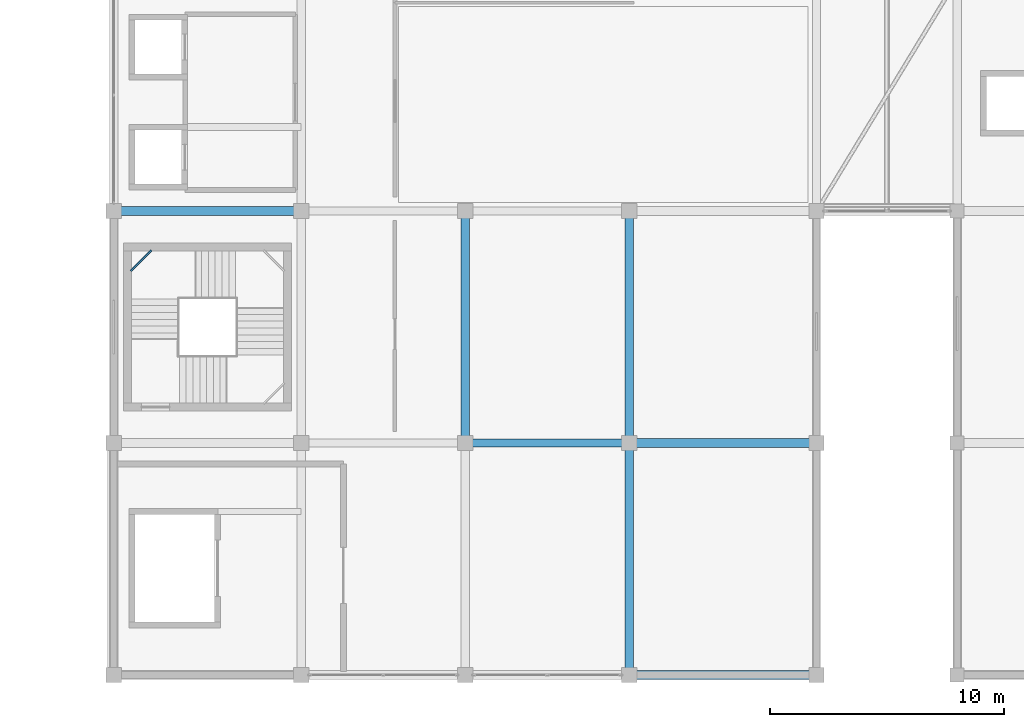
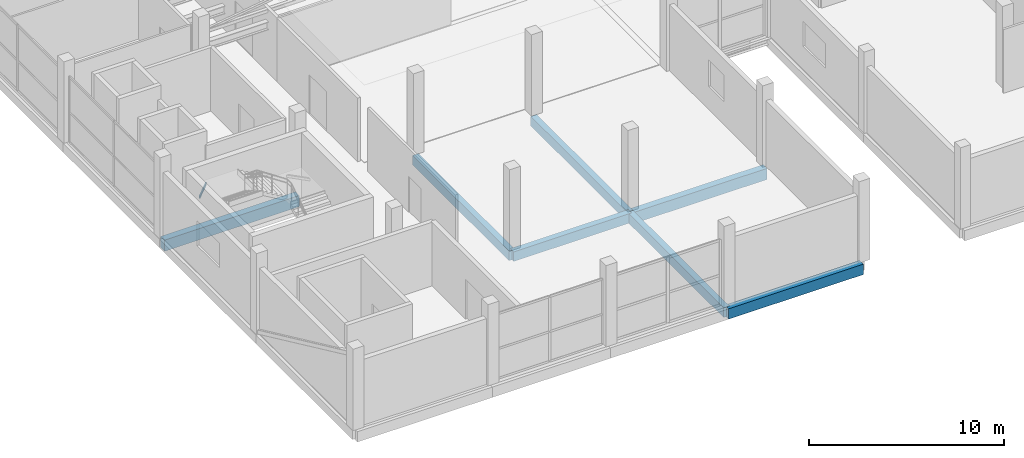
# One storey, part 5 of 66: 8 beams.
"""IFC4 building model written with IfcOpenShell, lengths in metres."""

from ifc_helpers import new_model, si_unit, direction, frame, origin, origin_2d, place, context, subcontext, project, spatial, rectangle, hollow_rectangle, extrude, material, material_profile, profile_set, type_object, element, save


model = new_model("IFC4")

# Units and contexts
model_context = context("Model", 3, precision=1e-05, world=origin(), true_north=direction((0.0, 1.0)))
body_context = subcontext(model_context, "Body", "Model", "MODEL_VIEW")
ifc_project = project(units=[si_unit("LENGTHUNIT", "METRE"), si_unit("AREAUNIT", "SQUARE_METRE"), si_unit("VOLUMEUNIT", "CUBIC_METRE"), si_unit("PLANEANGLEUNIT", "RADIAN"), si_unit("MASSUNIT", "GRAM", prefix="KILO")], contexts=[model_context])

# Site, building, storey
site_placement = place(None, origin())
site = spatial("IfcSite", under=ifc_project, at=site_placement, CompositionType="ELEMENT")
building_placement = place(site_placement, origin())
building = spatial("IfcBuilding", under=site, at=building_placement, Name="Sillaruma Civic Art Gallery", CompositionType="ELEMENT")
storey_placement = place(building_placement, frame((0.0, 0.0, 57.1201171875)))
storey = spatial("IfcBuildingStorey", under=building, at=storey_placement, Name="L11", CompositionType="ELEMENT", Elevation=57.1201171875)

# Beams
ifc_material_1 = material(Name="Concrete H35 (35 MPa)", Category="concrete")
ifc_material_profile_1 = material_profile(ifc_material_1, rectangle(XDim=0.35009765625, YDim=0.60009765625, at=origin_2d()), Name="RCB350x600")
ifc_profile_set_1 = profile_set([ifc_material_profile_1], Name="Concrete H35 (35 MPa)")
beam_type_1 = type_object("IfcBeamType", Name="BM-BEAM-RCB350x600", PredefinedType="BEAM", material=ifc_profile_set_1)
beam_1_placement = place(storey_placement, frame((77.0, 29.699951171875, -0.550048828125), z_axis=(1.0, 0.0, 0.0), x_axis=(0.0, 1.0, 0.0)))
element("IfcBeam", 1, at=beam_1_placement, inside=storey, type_object=beam_type_1, Name="Beam BM-06 (L10:4:H-J)", PredefinedType="BEAM", context=body_context, shape_type="SweptSolid", body=[
    extrude(rectangle(XDim=0.35009765625, YDim=0.60009765625, at=origin_2d()), origin(), (0.0, 0.0, 1.0), 7.0),
])
beam_2_placement = place(storey_placement, frame((77.0, 29.699951171875, -0.550048828125), z_axis=(0.0, 1.0, 0.0), x_axis=(-1.0, 0.0, 0.0)))
element("IfcBeam", 2, at=beam_2_placement, inside=storey, type_object=beam_type_1, Name="Beam BM-06 (L10:H:4-5)", PredefinedType="BEAM", context=body_context, shape_type="SweptSolid", body=[
    extrude(rectangle(XDim=0.35009765625, YDim=0.60009765625, at=origin_2d()), origin(), (0.0, 0.0, 1.0), 9.900146484375),
])
beam_3_placement = place(storey_placement, frame((84.0, 19.800048828125, -0.550048828125), z_axis=(0.0, 1.0, 0.0), x_axis=(-1.0, 0.0, 0.0)))
element("IfcBeam", 3, at=beam_3_placement, inside=storey, type_object=beam_type_1, Name="Beam BM-06 (L10:J:3-4)", PredefinedType="BEAM", context=body_context, shape_type="SweptSolid", body=[
    extrude(rectangle(XDim=0.35009765625, YDim=0.60009765625, at=origin_2d()), origin(), (0.0, 0.0, 1.0), 9.89990234375),
])
beam_4_placement = place(storey_placement, frame((84.0, 29.699951171875, -0.550048828125), z_axis=(0.0, 1.0, 0.0), x_axis=(-1.0, 0.0, 0.0)))
element("IfcBeam", 4, at=beam_4_placement, inside=storey, type_object=beam_type_1, Name="Beam BM-06 (L10:J:4-5)", PredefinedType="BEAM", context=body_context, shape_type="SweptSolid", body=[
    extrude(rectangle(XDim=0.35009765625, YDim=0.60009765625, at=origin_2d()), origin(), (0.0, 0.0, 1.0), 9.900146484375),
])
ifc_material_profile_2 = material_profile(ifc_material_1, rectangle(XDim=0.39990234375, YDim=0.699951171875, at=origin_2d()), Name="RCB400x700")
ifc_profile_set_2 = profile_set([ifc_material_profile_2], Name="Concrete H35 (35 MPa)")
beam_type_2 = type_object("IfcBeamType", Name="BM-BEAM-RCB400x700", PredefinedType="BEAM", material=ifc_profile_set_2)
for number, where, z_axis, x_axis, name in (
    (5, (84.0, 29.699951171875, -0.60009765625), (1.0, 0.0, 0.0), (0.0, 1.0, 0.0), "Beam BM-04 (L10:4:J-K)"),
    (6, (62.0, 39.60009765625, -0.60009765625), (1.0, 0.0, 0.0), (0.0, 1.0, 0.0), "Beam BM-04 (L10:5:F-G)"),
):
    element("IfcBeam", number, at=place(storey_placement, frame(where, z_axis=z_axis, x_axis=x_axis)), inside=storey, type_object=beam_type_2, Name=name, PredefinedType="BEAM", context=body_context, shape_type="SweptSolid", body=[
        extrude(rectangle(XDim=0.39990234375, YDim=0.699951171875, at=origin_2d()), origin(), (0.0, 0.0, 1.0), 8.0),
    ])
ifc_material_2 = material(Name="Structural Steel ASTM A500 Gr.C", Category="steel")
ifc_material_profile_3 = material_profile(ifc_material_2, hollow_rectangle(XDim=0.080078125, YDim=0.159912109375, WallThickness=0.008056640625, InnerFilletRadius=0.008056640625, OuterFilletRadius=0.01611328125, at=origin_2d()), Name="HSS160x80x8")
ifc_profile_set_3 = profile_set([ifc_material_profile_3], Name="Structural Steel ASTM A500 Gr.C")
beam_type_3 = type_object("IfcBeamType", Name="BM-LND-HSS160", PredefinedType="BEAM", material=ifc_profile_set_3)
beam_5_placement = place(storey_placement, frame((62.719970703125, 37.0400390625, 3.6298828125), z_axis=(0.707203758046, 0.707009791025, 0.0), x_axis=(-0.707009791025, 0.707203758046, 0.0)))
element("IfcBeam", 7, at=beam_5_placement, inside=storey, type_object=beam_type_3, Name="Stair Corner Landing Trimmer Beam (ST-03-L11-3)", PredefinedType="BEAM", context=body_context, shape_type="SweptSolid", body=[
    extrude(hollow_rectangle(XDim=0.080078125, YDim=0.159912109375, WallThickness=0.008056640625, InnerFilletRadius=0.008056640625, OuterFilletRadius=0.01611328125, at=origin_2d()), origin(), (0.0, 0.0, 1.0), 1.2587890625),
])
ifc_material_profile_4 = material_profile(ifc_material_1, rectangle(XDim=0.39990234375, YDim=0.64990234375, at=origin_2d()), Name="RCB400x650")
ifc_profile_set_4 = profile_set([ifc_material_profile_4], Name="Concrete H35 (35 MPa)")
beam_type_4 = type_object("IfcBeamType", Name="BM-SPANDREL-RCB400x650", PredefinedType="SPANDREL", material=ifc_profile_set_4)
beam_6_placement = place(storey_placement, frame((84.0, 19.800048828125, -0.5751953125), z_axis=(1.0, 0.0, 0.0), x_axis=(0.0, 1.0, 0.0)))
element("IfcBeam", 8, at=beam_6_placement, inside=storey, type_object=beam_type_4, Name="Beam BS-02 (L10:3:J-K)", PredefinedType="SPANDREL", context=body_context, shape_type="SweptSolid", body=[
    extrude(rectangle(XDim=0.39990234375, YDim=0.64990234375, at=origin_2d()), origin(), (0.0, 0.0, 1.0), 8.0),
])

save(model, "model.ifc")
